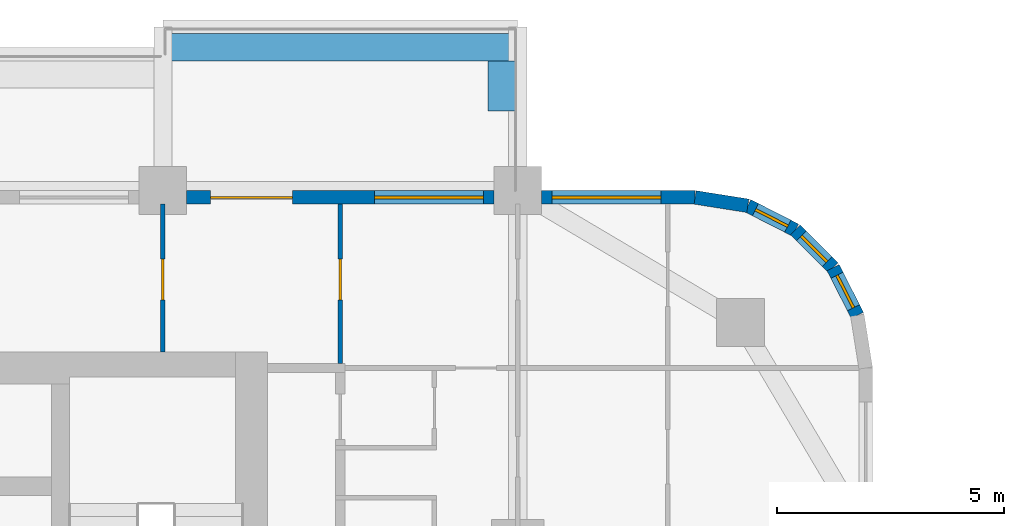
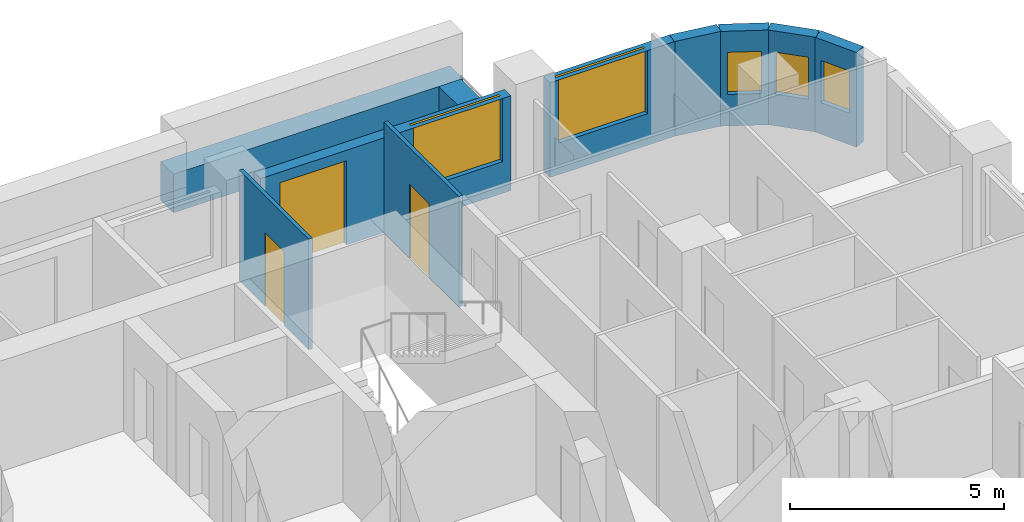
# One storey, part 14 of 18: 10 walls, 5 windows, 3 doors, 8 openings.
"""IFC4 building model written with IfcOpenShell, lengths in metres."""

import ifcopenshell
import ifcopenshell.guid

model = None  # the IFC model being written
_history = None  # IfcOwnerHistory: only IFC2X3 demands one
_inside = {}  # id of a spatial element -> (the spatial element, [elements in it])
_under = {}  # id of a project, library or spatial element -> (it, [spatial elements below it])
_declared = {}  # id of a project -> (the project, [libraries it declares])
_typed = {}  # id of a type object -> (the type object, [elements of that type])
_made_of = {}  # id of a material, layer set ... -> (it, [elements and type objects made of it])


def new_model(schema):
    """Start an empty IFC model of exactly this schema.

    Asked for "IFC4X3", IfcOpenShell would pick the latest addendum, in which some entities
    have other attributes; the version numbers below select the first issue.
    IFC2X3 requires an IfcOwnerHistory on every rooted entity: one is made here for all.
    """
    global model, _history
    if schema == "IFC4X3":
        model = ifcopenshell.file(schema_version=(4, 3, 0, 0))
    else:
        model = ifcopenshell.file(schema=schema)
    _inside.clear()
    _under.clear()
    _declared.clear()
    _typed.clear()
    _made_of.clear()
    _history = None
    if model.schema == "IFC2X3":
        org = make("IfcOrganization", Name="unknown")
        user = make(
            "IfcPersonAndOrganization",
            ThePerson=make("IfcPerson", FamilyName="unknown"),
            TheOrganization=org,
        )
        app = make(
            "IfcApplication",
            ApplicationDeveloper=org,
            Version="unknown",
            ApplicationFullName="unknown",
            ApplicationIdentifier="unknown",
        )
        _history = make(
            "IfcOwnerHistory",
            OwningUser=user,
            OwningApplication=app,
            ChangeAction="ADDED",
            CreationDate=0,
        )
    return model


def make(cls, **values):
    """One entity of the class cls with the attributes given. An attribute that is None is left unset."""
    return model.create_entity(
        cls, **{name: value for name, value in values.items() if value is not None}
    )


def rooted(cls, **values):
    """An entity with a GlobalId (a new one), such as an element, a storey or a relation."""
    return make(cls, GlobalId=ifcopenshell.guid.new(), OwnerHistory=_history, **values)


def si_unit(unit_type, name, prefix=None):
    """IfcSIUnit, for example si_unit("LENGTHUNIT", "METRE", prefix="MILLI")."""
    return make("IfcSIUnit", UnitType=unit_type, Prefix=prefix, Name=name)


def assignment(units):
    """IfcUnitAssignment: the units of a project."""
    return None if units is None else make("IfcUnitAssignment", Units=units)


def point(xyz):
    """IfcCartesianPoint."""
    return None if xyz is None else make("IfcCartesianPoint", Coordinates=xyz)


def direction(xyz):
    """IfcDirection."""
    return None if xyz is None else make("IfcDirection", DirectionRatios=xyz)


def frame(location, z_axis=None, x_axis=None):
    """IfcAxis2Placement3D, a coordinate frame: its origin and axes. An axis left out is left unset."""
    return make(
        "IfcAxis2Placement3D",
        Location=point(location),
        Axis=direction(z_axis),
        RefDirection=direction(x_axis),
    )


def frame_2d(location, x_axis=None):
    """IfcAxis2Placement2D, a coordinate frame in the plane: its origin and x axis."""
    return make(
        "IfcAxis2Placement2D", Location=point(location), RefDirection=direction(x_axis)
    )


def origin():
    """The frame at (0, 0, 0) with its axes left unset."""
    return frame((0.0, 0.0, 0.0))


def place(relative_to, where):
    """IfcLocalPlacement: puts the frame where relative to a parent placement (None: the world)."""
    return make(
        "IfcLocalPlacement", PlacementRelTo=relative_to, RelativePlacement=where
    )


def context(
    kind, dimensions, precision=None, world=None, true_north=None, identifier=None
):
    """IfcGeometricRepresentationContext, for example the 3D "Model" context."""
    return make(
        "IfcGeometricRepresentationContext",
        ContextIdentifier=identifier,
        ContextType=kind,
        CoordinateSpaceDimension=dimensions,
        Precision=precision,
        WorldCoordinateSystem=world,
        TrueNorth=true_north,
    )


def subcontext(parent, identifier, kind, view, scale=None):
    """IfcGeometricRepresentationSubContext, for example "Body" below "Model"."""
    return make(
        "IfcGeometricRepresentationSubContext",
        ContextIdentifier=identifier,
        ContextType=kind,
        ParentContext=parent,
        TargetScale=scale,
        TargetView=view,
    )


def project(units=None, contexts=None):
    """IfcProject with its units and contexts."""
    return rooted(
        "IfcProject",
        Name="project",
        RepresentationContexts=contexts,
        UnitsInContext=assignment(units),
    )


def spatial(cls, under=None, at=None, **own):
    """A site, building, storey or space (cls), placed at a placement, below another one or the project."""
    s = rooted(cls, ObjectPlacement=at, **own)
    if under is not None:
        _under.setdefault(under.id(), (under, []))[1].append(s)
    return s


def profile(cls, at=None, kind="AREA", **sizes):
    """A parametric profile (cls). Its sizes go by their IFC names, for example OverallWidth=200.0."""
    return make(cls, ProfileType=kind, Position=at, **sizes)


def rectangle(**sizes):
    """IfcRectangleProfileDef."""
    return profile("IfcRectangleProfileDef", **sizes)


def extrude(swept, where, along, depth):
    """IfcExtrudedAreaSolid: the profile swept, set in the frame where, extruded along a direction by depth."""
    return make(
        "IfcExtrudedAreaSolid",
        SweptArea=swept,
        Position=where,
        ExtrudedDirection=direction(along),
        Depth=depth,
    )


def shape(context_of_items, identifier, shape_type, items):
    """IfcShapeRepresentation: the items that make up one representation, for example the "Body"."""
    return make(
        "IfcShapeRepresentation",
        ContextOfItems=context_of_items,
        RepresentationIdentifier=identifier,
        RepresentationType=shape_type,
        Items=items,
    )


def material(Name=None, Category=None):
    """IfcMaterial."""
    return make("IfcMaterial", Name=Name, Category=Category)


def layer(
    of_material, thickness, ventilated=None, Name=None, Category=None, Priority=None
):
    """IfcMaterialLayer: one layer of a wall or slab, of a material (None: an air gap)."""
    return make(
        "IfcMaterialLayer",
        Material=of_material,
        LayerThickness=thickness,
        IsVentilated=ventilated,
        Name=Name,
        Category=Category,
        Priority=Priority,
    )


def layer_set(layers, Name=None):
    """IfcMaterialLayerSet."""
    return make("IfcMaterialLayerSet", MaterialLayers=layers, LayerSetName=Name)


def made_of(thing, what):
    """Note that an element or type object is made of a material, layer set ...; save() writes the relation."""
    if what is not None:
        _made_of.setdefault(what.id(), (what, []))[1].append(thing)
    return thing


def type_object(cls, material=None, **own):
    """A type object (cls), such as IfcWallType, which elements share."""
    return made_of(rooted(cls, **own), material)


def element(
    cls,
    number,
    at=None,
    inside=None,
    cuts=None,
    type_object=None,
    material=None,
    context=None,
    identifier="Body",
    shape_type=None,
    held_by="IfcProductDefinitionShape",
    body=None,
    shapes=None,
    **own,
):
    """One element of the class cls, such as IfcWall. Its Tag is "e" and its number.

    at: its placement. inside: the storey or other place that contains it. cuts: it is an
    opening in that element (IfcRelVoidsElement). A single representation is given by context,
    identifier, shape_type and body (its items); several are given by shapes. held_by: the class
    of the entity that holds the representations. save() writes the other relations.
    """
    e = rooted(cls, Tag="e%d" % number, ObjectPlacement=at, **own)
    if body is not None:
        shapes = [shape(context, identifier, shape_type, body)]
    if shapes is not None:
        e.Representation = make(held_by, Representations=shapes)
    if inside is not None:
        _inside.setdefault(inside.id(), (inside, []))[1].append(e)
    if cuts is not None:
        rooted(
            "IfcRelVoidsElement", RelatingBuildingElement=cuts, RelatedOpeningElement=e
        )
    if type_object is not None:
        _typed.setdefault(type_object.id(), (type_object, []))[1].append(e)
    return made_of(e, material)


def fill(opening, filler):
    """IfcRelFillsElement: the door or window that sits in an opening."""
    return rooted(
        "IfcRelFillsElement",
        RelatingOpeningElement=opening,
        RelatedBuildingElement=filler,
    )


def aggregate(whole, parts):
    """IfcRelAggregates: a whole, such as a stair, and the parts it consists of."""
    return rooted("IfcRelAggregates", RelatingObject=whole, RelatedObjects=parts)


def save(model, path):
    """Write the relations noted so far, then the file.

    IfcRelAggregates (storeys below a building ...), IfcRelContainedInSpatialStructure (elements
    in a storey), IfcRelDefinesByType, IfcRelAssociatesMaterial and IfcRelDeclares: one each for
    every whole, place, type object, material and project.
    """
    for whole, parts in _under.values():
        aggregate(whole, parts)
    for where, things in _inside.values():
        rooted(
            "IfcRelContainedInSpatialStructure",
            RelatedElements=things,
            RelatingStructure=where,
        )
    for kind, things in _typed.values():
        rooted("IfcRelDefinesByType", RelatedObjects=things, RelatingType=kind)
    for what, things in _made_of.values():
        rooted("IfcRelAssociatesMaterial", RelatedObjects=things, RelatingMaterial=what)
    for by, libraries in _declared.values():
        rooted("IfcRelDeclares", RelatingContext=by, RelatedDefinitions=libraries)
    model.write(path)


model = new_model("IFC4")

# Units and contexts
model_context = context("Model", 3, precision=1e-05, world=origin(), true_north=direction((0.0, 1.0)))
body_context = subcontext(model_context, "Body", "Model", "MODEL_VIEW")
ifc_project = project(units=[si_unit("LENGTHUNIT", "METRE"), si_unit("AREAUNIT", "SQUARE_METRE"), si_unit("VOLUMEUNIT", "CUBIC_METRE"), si_unit("PLANEANGLEUNIT", "RADIAN"), si_unit("MASSUNIT", "GRAM", prefix="KILO")], contexts=[model_context])

# Site, building, storey
site_placement = place(None, origin())
site = spatial("IfcSite", under=ifc_project, at=site_placement, CompositionType="ELEMENT")
building_placement = place(site_placement, origin())
building = spatial("IfcBuilding", under=site, at=building_placement, Name="Ludao Terraces", CompositionType="ELEMENT")
storey_placement = place(building_placement, frame((0.0, 0.0, 33.10009765625)))
storey = spatial("IfcBuildingStorey", under=building, at=storey_placement, Name="L08", CompositionType="ELEMENT", Elevation=33.10009765625)

# Walls
ifc_material_1 = material(Name="Concrete C40", Category="concrete")
ifc_layer_1 = layer(ifc_material_1, 0.60009765625)
ifc_layer_set_1 = layer_set([ifc_layer_1], Name="ENV Planter trough 600")
wall_type_1 = type_object("IfcWallType", Name="ENV Planter trough 600", PredefinedType="USERDEFINED", material=ifc_layer_set_1)
wall_1_placement = place(storey_placement, frame((92.800048828125, 91.550048828125, 0.0), z_axis=(0.0, 0.0, 1.0), x_axis=(1.0, 0.0, 0.0)))
element("IfcWall", 1, at=wall_1_placement, inside=storey, type_object=wall_type_1, Name="PL-L08-N4", ObjectType="PLANTER", PredefinedType="USERDEFINED", context=body_context, shape_type="SweptSolid", body=[
    extrude(rectangle(XDim=7.800048828125, YDim=0.60009765625, at=frame_2d((3.89990234375, 0.0))), origin(), (0.0, 0.0, 1.0), 1.099853515625),
])
wall_2_placement = place(storey_placement, frame((100.25, 91.25, 0.0), z_axis=(0.0, 0.0, 1.0), x_axis=(0.0, -1.0, 0.0)))
element("IfcWall", 2, at=wall_2_placement, inside=storey, type_object=wall_type_1, Name="PL-L08-N4-SB", ObjectType="PLANTER", PredefinedType="USERDEFINED", context=body_context, shape_type="SweptSolid", body=[
    extrude(rectangle(XDim=1.10009765625, YDim=0.60009765625, at=frame_2d((0.550048828125, 0.0))), origin(), (0.0, 0.0, 1.0), 1.099853515625),
])

# Wall, openings, door, window
ifc_material_2 = material(Name="Granite cladding", Category="masonry")
ifc_layer_2 = layer(ifc_material_2, 0.0400390625, Category="stone")
ifc_material_3 = material(Name="Mineral wool")
ifc_layer_3 = layer(ifc_material_3, 0.06005859375)
ifc_layer_4 = layer(ifc_material_1, 0.199951171875, Category="concrete")
ifc_layer_set_2 = layer_set([ifc_layer_2, ifc_layer_3, ifc_layer_4], Name="ENV Stone-clad wall 300")
wall_type_2 = type_object("IfcWallType", Name="ENV Stone-clad wall 300", PredefinedType="SOLIDWALL", material=ifc_layer_set_2)
wall_3_placement = place(storey_placement, frame((93.324951171875, 88.25, 0.0), z_axis=(0.0, 0.0, 1.0), x_axis=(1.0, 0.0, 0.0)))
wall_3 = element("IfcWall", 3, at=wall_3_placement, inside=storey, type_object=wall_type_2, Name="EW-L08-N5", PredefinedType="SOLIDWALL", context=body_context, shape_type="SweptSolid", body=[
    extrude(rectangle(XDim=6.75, YDim=0.300048828125, at=frame_2d((3.375, 0.0))), origin(), (0.0, 0.0, 1.0), 2.699951171875),
])
opening_1_placement = place(wall_3_placement, frame((0.52490234375, 0.0, 0.0)))
opening_1 = element("IfcOpeningElement", 4, at=opening_1_placement, cuts=wall_3, Name="Opening BD", PredefinedType="OPENING", context=body_context, shape_type="SweptSolid", body=[
    extrude(rectangle(XDim=1.800048828125, YDim=2.39990234375, at=frame_2d((0.89990234375, 1.199951171875))), frame((0.0, 0.16015625, 0.0), z_axis=(0.0, -1.0, 0.0), x_axis=(1.0, 0.0, 0.0)), (0.0, 0.0, 1.0), 0.320068359375),
])
opening_2_placement = place(wall_3_placement, frame((4.125, 0.0, 0.89990234375)))
opening_2 = element("IfcOpeningElement", 5, at=opening_2_placement, cuts=wall_3, Name="Opening W1", PredefinedType="OPENING", context=body_context, shape_type="SweptSolid", body=[
    extrude(rectangle(XDim=2.39990234375, YDim=1.800048828125, at=frame_2d((1.199951171875, 0.89990234375))), frame((0.0, 0.16015625, 0.0), z_axis=(0.0, -1.0, 0.0), x_axis=(1.0, 0.0, 0.0)), (0.0, 0.0, 1.0), 0.320068359375),
])
ifc_material_4 = material(Name="Aluminium glazed door", Category="aluminium")
ifc_layer_5 = layer(ifc_material_4, 0.06005859375)
ifc_layer_set_3 = layer_set([ifc_layer_5], Name="ENV Balcony door BD 1800x2400")
door_type_1 = type_object("IfcDoorType", Name="ENV Balcony door BD 1800x2400", OperationType="DOUBLE_DOOR_SINGLE_SWING", PredefinedType="DOOR", material=ifc_layer_set_3)
door_1_placement = place(opening_1_placement, origin())
door_1 = element("IfcDoor", 6, at=door_1_placement, inside=storey, type_object=door_type_1, Name="BD-L08-N5-1", OperationType="DOUBLE_DOOR_SINGLE_SWING", OverallHeight=2.39990234375, OverallWidth=1.800048828125, PredefinedType="DOOR", context=body_context, shape_type="SweptSolid", body=[
    extrude(rectangle(XDim=1.800048828125, YDim=2.39990234375, at=frame_2d((0.89990234375, 1.199951171875))), frame((0.0, 0.02490234375, 0.0), z_axis=(0.0, -1.0, 0.0), x_axis=(1.0, 0.0, 0.0)), (0.0, 0.0, 1.0), 0.050048828125),
])
fill(opening_1, door_1)
ifc_material_5 = material(Name="Clear glass in aluminium frame", Category="aluminium")
ifc_layer_6 = layer(ifc_material_5, 0.06005859375)
ifc_layer_set_4 = layer_set([ifc_layer_6], Name="ENV Window W1 2400x1800")
window_type_1 = type_object("IfcWindowType", Name="ENV Window W1 2400x1800", PartitioningType="DOUBLE_PANEL_VERTICAL", PredefinedType="WINDOW", material=ifc_layer_set_4)
window_1_placement = place(opening_2_placement, origin())
window_1 = element("IfcWindow", 7, at=window_1_placement, inside=storey, type_object=window_type_1, Name="W-L08-N5-2", OverallHeight=1.800048828125, OverallWidth=2.39990234375, PartitioningType="DOUBLE_PANEL_VERTICAL", PredefinedType="WINDOW", context=body_context, shape_type="SweptSolid", body=[
    extrude(rectangle(XDim=2.39990234375, YDim=1.800048828125, at=frame_2d((1.199951171875, 0.89990234375))), frame((0.0, 0.030029296875, 0.0), z_axis=(0.0, -1.0, 0.0), x_axis=(1.0, 0.0, 0.0)), (0.0, 0.0, 1.0), 0.06005859375),
])
fill(opening_2, window_1)

# Wall, opening, window
wall_4_placement = place(storey_placement, frame((101.125, 88.25, 0.0), z_axis=(0.0, 0.0, 1.0), x_axis=(1.0, 0.0, 0.0)))
wall_4 = element("IfcWall", 8, at=wall_4_placement, inside=storey, type_object=wall_type_2, Name="EW-L08-N6", PredefinedType="SOLIDWALL", context=body_context, shape_type="SweptSolid", body=[
    extrude(rectangle(XDim=3.375, YDim=0.300048828125, at=frame_2d((1.6875, 0.0))), origin(), (0.0, 0.0, 1.0), 2.699951171875),
])
opening_3_placement = place(wall_4_placement, frame((0.22509765625, 0.0, 0.89990234375)))
opening_3 = element("IfcOpeningElement", 9, at=opening_3_placement, cuts=wall_4, Name="Opening W1", PredefinedType="OPENING", context=body_context, shape_type="SweptSolid", body=[
    extrude(rectangle(XDim=2.39990234375, YDim=1.800048828125, at=frame_2d((1.199951171875, 0.89990234375))), frame((0.0, 0.16015625, 0.0), z_axis=(0.0, -1.0, 0.0), x_axis=(1.0, 0.0, 0.0)), (0.0, 0.0, 1.0), 0.320068359375),
])
window_2_placement = place(opening_3_placement, origin())
window_2 = element("IfcWindow", 10, at=window_2_placement, inside=storey, type_object=window_type_1, Name="W-L08-N6-1", OverallHeight=1.800048828125, OverallWidth=2.39990234375, PartitioningType="DOUBLE_PANEL_VERTICAL", PredefinedType="WINDOW", context=body_context, shape_type="SweptSolid", body=[
    extrude(rectangle(XDim=2.39990234375, YDim=1.800048828125, at=frame_2d((1.199951171875, 0.89990234375))), frame((0.0, 0.030029296875, 0.0), z_axis=(0.0, -1.0, 0.0), x_axis=(1.0, 0.0, 0.0)), (0.0, 0.0, 1.0), 0.06005859375),
])
fill(opening_3, window_2)

wall_5_placement = place(storey_placement, frame((108.06640625, 85.65869140625, 0.0), z_axis=(0.0, 0.0, 1.0), x_axis=(-0.454025524128, 0.890988677504, 0.0)))
wall_5 = element("IfcWall", 11, at=wall_5_placement, inside=storey, type_object=wall_type_2, Name="EW-L08-NE2", PredefinedType="SOLIDWALL", context=body_context, shape_type="SweptSolid", body=[
    extrude(rectangle(XDim=1.17333984375, YDim=0.300048828125, at=frame_2d((0.586669921875, 0.0))), origin(), (0.0, 0.0, 1.0), 2.699951171875),
])
opening_4_placement = place(wall_5_placement, frame((0.1865234375, 0.0, 0.89990234375)))
opening_4 = element("IfcOpeningElement", 12, at=opening_4_placement, cuts=wall_5, Name="Opening W3", PredefinedType="OPENING", context=body_context, shape_type="SweptSolid", body=[
    extrude(rectangle(XDim=0.800048828125, YDim=1.199951171875, at=frame_2d((0.39990234375, 0.60009765625))), frame((0.0, 0.16015625, 0.0), z_axis=(0.0, -1.0, 0.0), x_axis=(1.0, 0.0, 0.0)), (0.0, 0.0, 1.0), 0.320068359375),
])
ifc_layer_7 = layer(ifc_material_5, 0.06005859375)
ifc_layer_set_5 = layer_set([ifc_layer_7], Name="ENV Window W3 800x1200")
window_type_2 = type_object("IfcWindowType", Name="ENV Window W3 800x1200", PartitioningType="SINGLE_PANEL", PredefinedType="WINDOW", material=ifc_layer_set_5)
window_3_placement = place(opening_4_placement, origin())
window_3 = element("IfcWindow", 13, at=window_3_placement, inside=storey, type_object=window_type_2, Name="W-L08-NE2", OverallHeight=1.199951171875, OverallWidth=0.800048828125, PartitioningType="SINGLE_PANEL", PredefinedType="WINDOW", context=body_context, shape_type="SweptSolid", body=[
    extrude(rectangle(XDim=0.800048828125, YDim=1.199951171875, at=frame_2d((0.39990234375, 0.60009765625))), frame((0.0, 0.030029296875, 0.0), z_axis=(0.0, -1.0, 0.0), x_axis=(1.0, 0.0, 0.0)), (0.0, 0.0, 1.0), 0.06005859375),
])
fill(opening_4, window_3)

wall_6_placement = place(storey_placement, frame((107.53369140625, 86.7041015625, 0.0), z_axis=(0.0, 0.0, 1.0), x_axis=(-0.707106781187, 0.707106781187, 0.0)))
wall_6 = element("IfcWall", 14, at=wall_6_placement, inside=storey, type_object=wall_type_2, Name="EW-L08-NE3", PredefinedType="SOLIDWALL", context=body_context, shape_type="SweptSolid", body=[
    extrude(rectangle(XDim=1.173095703125, YDim=0.300048828125, at=frame_2d((0.58642578125, 0.0))), origin(), (0.0, 0.0, 1.0), 2.699951171875),
])
opening_5_placement = place(wall_6_placement, frame((0.1865234375, 0.0, 0.89990234375)))
opening_5 = element("IfcOpeningElement", 15, at=opening_5_placement, cuts=wall_6, Name="Opening W3", PredefinedType="OPENING", context=body_context, shape_type="SweptSolid", body=[
    extrude(rectangle(XDim=0.800048828125, YDim=1.199951171875, at=frame_2d((0.39990234375, 0.60009765625))), frame((0.0, 0.16015625, 0.0), z_axis=(0.0, -1.0, 0.0), x_axis=(1.0, 0.0, 0.0)), (0.0, 0.0, 1.0), 0.320068359375),
])
window_4_placement = place(opening_5_placement, origin())
window_4 = element("IfcWindow", 16, at=window_4_placement, inside=storey, type_object=window_type_2, Name="W-L08-NE3", OverallHeight=1.199951171875, OverallWidth=0.800048828125, PartitioningType="SINGLE_PANEL", PredefinedType="WINDOW", context=body_context, shape_type="SweptSolid", body=[
    extrude(rectangle(XDim=0.800048828125, YDim=1.199951171875, at=frame_2d((0.39990234375, 0.60009765625))), frame((0.0, 0.030029296875, 0.0), z_axis=(0.0, -1.0, 0.0), x_axis=(1.0, 0.0, 0.0)), (0.0, 0.0, 1.0), 0.06005859375),
])
fill(opening_5, window_4)

wall_7_placement = place(storey_placement, frame((106.7041015625, 87.53369140625, 0.0), z_axis=(0.0, 0.0, 1.0), x_axis=(-0.890988677504, 0.454025524128, 0.0)))
wall_7 = element("IfcWall", 17, at=wall_7_placement, inside=storey, type_object=wall_type_2, Name="EW-L08-NE4", PredefinedType="SOLIDWALL", context=body_context, shape_type="SweptSolid", body=[
    extrude(rectangle(XDim=1.17333984375, YDim=0.300048828125, at=frame_2d((0.586669921875, 0.0))), origin(), (0.0, 0.0, 1.0), 2.699951171875),
])
opening_6_placement = place(wall_7_placement, frame((0.1865234375, 0.0, 0.89990234375)))
opening_6 = element("IfcOpeningElement", 18, at=opening_6_placement, cuts=wall_7, Name="Opening W3", PredefinedType="OPENING", context=body_context, shape_type="SweptSolid", body=[
    extrude(rectangle(XDim=0.800048828125, YDim=1.199951171875, at=frame_2d((0.39990234375, 0.60009765625))), frame((0.0, 0.16015625, 0.0), z_axis=(0.0, -1.0, 0.0), x_axis=(1.0, 0.0, 0.0)), (0.0, 0.0, 1.0), 0.320068359375),
])
window_5_placement = place(opening_6_placement, origin())
window_5 = element("IfcWindow", 19, at=window_5_placement, inside=storey, type_object=window_type_2, Name="W-L08-NE4", OverallHeight=1.199951171875, OverallWidth=0.800048828125, PartitioningType="SINGLE_PANEL", PredefinedType="WINDOW", context=body_context, shape_type="SweptSolid", body=[
    extrude(rectangle(XDim=0.800048828125, YDim=1.199951171875, at=frame_2d((0.39990234375, 0.60009765625))), frame((0.0, 0.030029296875, 0.0), z_axis=(0.0, -1.0, 0.0), x_axis=(1.0, 0.0, 0.0)), (0.0, 0.0, 1.0), 0.06005859375),
])
fill(opening_6, window_5)

# Wall
wall_8_placement = place(storey_placement, frame((105.65869140625, 88.06640625, 0.0), z_axis=(0.0, 0.0, 1.0), x_axis=(-0.987678452879, 0.156496880861, 0.0)))
element("IfcWall", 20, at=wall_8_placement, inside=storey, type_object=wall_type_2, Name="EW-L08-NE5", PredefinedType="SOLIDWALL", context=body_context, shape_type="SweptSolid", body=[
    extrude(rectangle(XDim=1.173095703125, YDim=0.300048828125, at=frame_2d((0.58642578125, 0.0))), origin(), (0.0, 0.0, 1.0), 2.699951171875),
])

# Wall, opening, door
ifc_material_6 = material(Name="Gypsum plasterboard", Category="gypsum")
ifc_layer_8 = layer(ifc_material_6, 0.012451171875, Category="gypsum")
ifc_layer_9 = layer(ifc_material_3, 0.06005859375, Name="insulation")
ifc_material_7 = material(Name="Steel Q235", Category="steel")
ifc_layer_10 = layer(ifc_material_7, 0.014892578125, Name="stud")
ifc_layer_11 = layer(ifc_material_6, 0.012451171875, Category="gypsum")
ifc_layer_set_6 = layer_set([ifc_layer_8, ifc_layer_9, ifc_layer_10, ifc_layer_11], Name="INT Partition 100")
wall_type_3 = type_object("IfcWallType", Name="INT Partition 100", PredefinedType="PARTITIONING", material=ifc_layer_set_6)
wall_9_placement = place(storey_placement, frame((92.800048828125, 84.85009765625, 0.0), z_axis=(0.0, 0.0, 1.0), x_axis=(0.0, 1.0, 0.0)))
wall_9 = element("IfcWall", 21, at=wall_9_placement, inside=storey, type_object=wall_type_3, Name="PW-L08-PW113", PredefinedType="PARTITIONING", context=body_context, shape_type="SweptSolid", body=[
    extrude(rectangle(XDim=3.25, YDim=0.10009765625, at=frame_2d((1.625, 0.0))), origin(), (0.0, 0.0, 1.0), 3.14990234375),
])
opening_7_placement = place(wall_9_placement, frame((1.14990234375, 0.0, 0.0)))
opening_7 = element("IfcOpeningElement", 22, at=opening_7_placement, cuts=wall_9, Name="Opening R02-163", PredefinedType="OPENING", context=body_context, shape_type="SweptSolid", body=[
    extrude(rectangle(XDim=0.89990234375, YDim=2.10009765625, at=frame_2d((0.449951171875, 1.050048828125))), frame((0.0, 0.06005859375, 0.0), z_axis=(0.0, -1.0, 0.0), x_axis=(1.0, 0.0, 0.0)), (0.0, 0.0, 1.0), 0.1201171875),
])
ifc_material_8 = material(Name="Timber door leaf", Category="wood")
door_type_2 = type_object("IfcDoorType", Name="INT Room door 900", OperationType="SINGLE_SWING_LEFT", PredefinedType="DOOR", material=ifc_material_8)
door_2_placement = place(opening_7_placement, origin())
door_2 = element("IfcDoor", 23, at=door_2_placement, inside=storey, type_object=door_type_2, Name="DOOR 163", OperationType="SINGLE_SWING_LEFT", OverallHeight=2.10009765625, OverallWidth=0.89990234375, PredefinedType="DOOR", context=body_context, shape_type="SweptSolid", body=[
    extrude(rectangle(XDim=0.89990234375, YDim=2.10009765625, at=frame_2d((0.449951171875, 1.050048828125))), frame((0.0, 0.02490234375, 0.0), z_axis=(0.0, -1.0, 0.0), x_axis=(1.0, 0.0, 0.0)), (0.0, 0.0, 1.0), 0.050048828125),
])
fill(opening_7, door_2)

wall_10_placement = place(storey_placement, frame((96.699951171875, 84.60009765625, 0.0), z_axis=(0.0, 0.0, 1.0), x_axis=(0.0, 1.0, 0.0)))
wall_10 = element("IfcWall", 24, at=wall_10_placement, inside=storey, type_object=wall_type_3, Name="PW-L08-PW117", PredefinedType="PARTITIONING", context=body_context, shape_type="SweptSolid", body=[
    extrude(rectangle(XDim=3.5, YDim=0.10009765625, at=frame_2d((1.75, 0.0))), origin(), (0.0, 0.0, 1.0), 3.14990234375),
])
opening_8_placement = place(wall_10_placement, frame((1.39990234375, 0.0, 0.0)))
opening_8 = element("IfcOpeningElement", 25, at=opening_8_placement, cuts=wall_10, Name="Opening R02-164", PredefinedType="OPENING", context=body_context, shape_type="SweptSolid", body=[
    extrude(rectangle(XDim=0.89990234375, YDim=2.10009765625, at=frame_2d((0.449951171875, 1.050048828125))), frame((0.0, 0.06005859375, 0.0), z_axis=(0.0, -1.0, 0.0), x_axis=(1.0, 0.0, 0.0)), (0.0, 0.0, 1.0), 0.1201171875),
])
door_3_placement = place(opening_8_placement, origin())
door_3 = element("IfcDoor", 26, at=door_3_placement, inside=storey, type_object=door_type_2, Name="DOOR 164", OperationType="SINGLE_SWING_RIGHT", OverallHeight=2.10009765625, OverallWidth=0.89990234375, PredefinedType="DOOR", context=body_context, shape_type="SweptSolid", body=[
    extrude(rectangle(XDim=0.89990234375, YDim=2.10009765625, at=frame_2d((0.449951171875, 1.050048828125))), frame((0.0, 0.02490234375, 0.0), z_axis=(0.0, -1.0, 0.0), x_axis=(1.0, 0.0, 0.0)), (0.0, 0.0, 1.0), 0.050048828125),
])
fill(opening_8, door_3)

save(model, "model.ifc")
